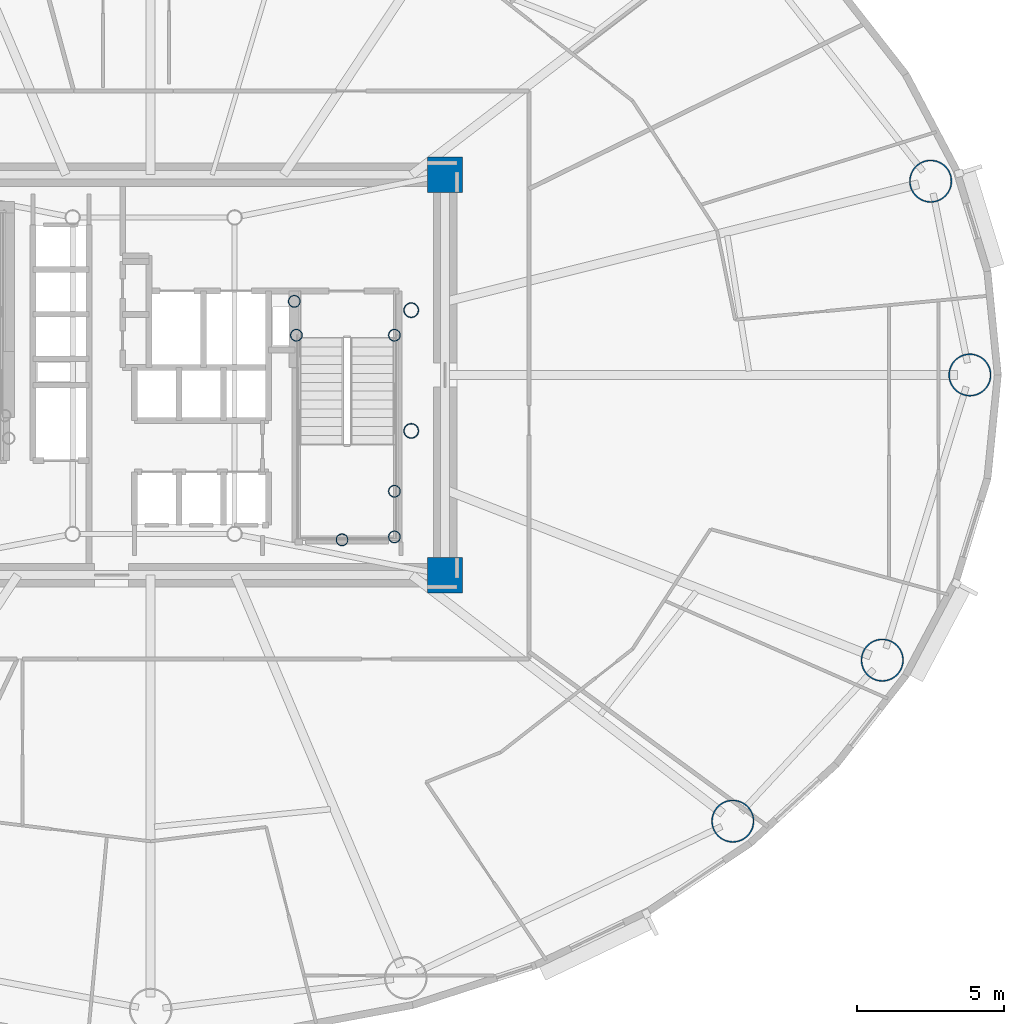
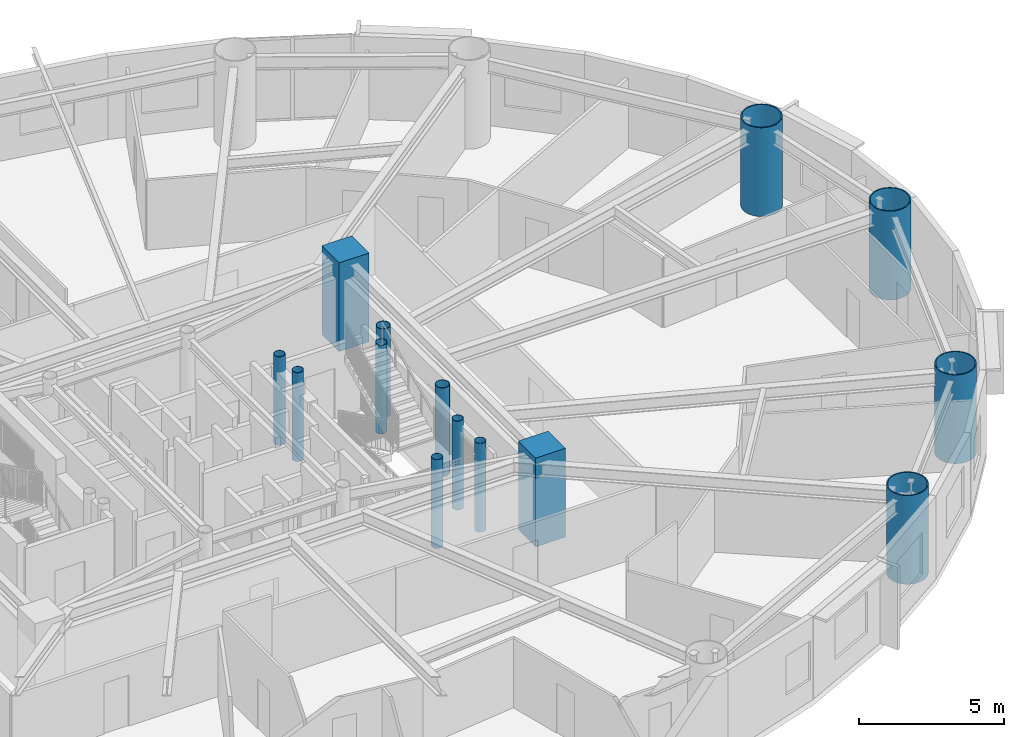
# One storey, part 2 of 16: 14 columns.
"""IFC4 building model written with IfcOpenShell, lengths in metres."""

from ifc_helpers import new_model, si_unit, direction, frame, origin, origin_2d, place, context, subcontext, project, spatial, rectangle, hollow_circle, extrude, material, material_profile, profile_set, type_object, element, save


model = new_model("IFC4")

# Units and contexts
model_context = context("Model", 3, precision=1e-05, world=origin(), true_north=direction((0.0, 1.0)))
body_context = subcontext(model_context, "Body", "Model", "MODEL_VIEW")
ifc_project = project(units=[si_unit("LENGTHUNIT", "METRE"), si_unit("AREAUNIT", "SQUARE_METRE"), si_unit("VOLUMEUNIT", "CUBIC_METRE"), si_unit("PLANEANGLEUNIT", "RADIAN"), si_unit("MASSUNIT", "GRAM", prefix="KILO")], contexts=[model_context])

# Site, building, storey
site_placement = place(None, origin())
site = spatial("IfcSite", under=ifc_project, at=site_placement, CompositionType="ELEMENT")
building_placement = place(site_placement, origin())
building = spatial("IfcBuilding", under=site, at=building_placement, Name="Linh Dai School and Residence Tower", CompositionType="ELEMENT")
storey_placement = place(building_placement, frame((0.0, 0.0, 138.449951171875)))
storey = spatial("IfcBuildingStorey", under=building, at=storey_placement, Name="L33", CompositionType="ELEMENT", Elevation=138.449951171875)

# Columns
ifc_material_1 = material(Name="Concrete B60 (C50/60)", Category="concrete")
ifc_material_profile_1 = material_profile(ifc_material_1, rectangle(XDim=1.199951171875, YDim=1.199951171875, at=origin_2d()), Name="RC 1200x1200")
ifc_profile_set_1 = profile_set([ifc_material_profile_1], Name="Concrete B60 (C50/60)")
column_type_1 = type_object("IfcColumnType", Name="COL-CC2", PredefinedType="COLUMN", material=ifc_profile_set_1)
for number, where, z_axis, x_axis, name in (
    (1, (46.0, 20.199951171875, 0.0), (0.0, 0.0, 1.0), (1.0, 0.0, 0.0), "L33 Core Corner Pier CC2"),
    (2, (46.0, 33.800048828125, 0.0), (0.0, 0.0, 1.0), (1.0, 0.0, 0.0), "L33 Core Corner Pier CC3"),
):
    element("IfcColumn", number, at=place(storey_placement, frame(where, z_axis=z_axis, x_axis=x_axis)), inside=storey, type_object=column_type_1, Name=name, PredefinedType="COLUMN", context=body_context, shape_type="SweptSolid", body=[
        extrude(rectangle(XDim=1.199951171875, YDim=1.199951171875, at=origin_2d()), origin(), (0.0, 0.0, 1.0), 3.75),
    ])
ifc_material_2 = material(Name="Structural Steel S355JR", Category="steel")
ifc_material_profile_2 = material_profile(ifc_material_2, hollow_circle(Radius=0.203125, WallThickness=0.01611328125, at=origin_2d()), Name="CHS 406.4x16")
ifc_profile_set_2 = profile_set([ifc_material_profile_2], Name="Structural Steel S355JR")
column_type_2 = type_object("IfcColumnType", Name="COL-EC", PredefinedType="COLUMN", material=ifc_profile_set_2)
for number, where, z_axis, x_axis, name in (
    (3, (44.280029296875, 21.5, 0.0), (0.0, 0.0, 1.0), (1.0, 0.0, 0.0), "L33 Stair Shaft Landing Support Pier ST2SE"),
    (4, (44.280029296875, 23.050048828125, 0.0), (0.0, 0.0, 1.0), (1.0, 0.0, 0.0), "L33 Stair Shaft Landing Support Pier ST2NE"),
    (5, (42.5, 21.39990234375, 0.0), (0.0, 0.0, 1.0), (1.0, 0.0, 0.0), "L33 Stair Shaft Landing Support Pier ST2MS"),
    (6, (40.949951171875, 28.35009765625, 0.0), (0.0, 0.0, 1.0), (1.0, 0.0, 0.0), "L33 Stair Shaft Landing Support Pier ST2N1"),
    (7, (44.280029296875, 28.35009765625, 0.0), (0.0, 0.0, 1.0), (1.0, 0.0, 0.0), "L33 Stair Shaft Landing Support Pier ST2N2"),
    (8, (40.8798828125, 29.5, 0.0), (0.0, 0.0, 1.0), (1.0, 0.0, 0.0), "L33 Stair Shaft Landing Support Pier ST2N3"),
):
    element("IfcColumn", number, at=place(storey_placement, frame(where, z_axis=z_axis, x_axis=x_axis)), inside=storey, type_object=column_type_2, Name=name, PredefinedType="COLUMN", context=body_context, shape_type="SweptSolid", body=[
        extrude(hollow_circle(Radius=0.203125, WallThickness=0.01611328125, at=origin_2d()), origin(), (0.0, 0.0, 1.0), 3.75),
    ])
ifc_material_profile_3 = material_profile(ifc_material_2, hollow_circle(Radius=0.72509765625, WallThickness=0.0419921875, at=origin_2d()), Name="CHS 1450x42")
ifc_profile_set_3 = profile_set([ifc_material_profile_3], Name="Structural Steel S355JR")
column_type_3 = type_object("IfcColumnType", Name="COL-MC3", PredefinedType="COLUMN", material=ifc_profile_set_3)
for number, where, z_axis, x_axis, name in (
    (9, (63.824951171875, 27.0, 0.0), (0.0, 0.0, 1.0), (1.0, 0.0, 0.0), "L33 Perimeter CFT Mega-Column MC01"),
    (10, (62.49267578125, 33.5810546875, 0.0), (0.0, 0.0, 1.0), (1.0, 0.0, 0.0), "L33 Perimeter CFT Mega-Column MC02"),
    (11, (55.772705078125, 11.844482421875, 0.0), (0.0, 0.0, 1.0), (1.0, 0.0, 0.0), "L33 Perimeter CFT Mega-Column MC15"),
    (12, (60.84912109375, 17.3125, 0.0), (0.0, 0.0, 1.0), (1.0, 0.0, 0.0), "L33 Perimeter CFT Mega-Column MC16"),
):
    element("IfcColumn", number, at=place(storey_placement, frame(where, z_axis=z_axis, x_axis=x_axis)), inside=storey, type_object=column_type_3, Name=name, PredefinedType="COLUMN", context=body_context, shape_type="SweptSolid", body=[
        extrude(hollow_circle(Radius=0.72509765625, WallThickness=0.0419921875, at=origin_2d()), origin(), (0.0, 0.0, 1.0), 3.75),
    ])
ifc_material_profile_4 = material_profile(ifc_material_2, hollow_circle(Radius=0.25390625, WallThickness=0.02001953125, at=origin_2d()), Name="CHS 508x20")
ifc_profile_set_4 = profile_set([ifc_material_profile_4], Name="Structural Steel S355JR")
column_type_4 = type_object("IfcColumnType", Name="COL-MCP", PredefinedType="COLUMN", material=ifc_profile_set_4)
for number, where, z_axis, x_axis, name in (
    (13, (44.85009765625, 25.10009765625, 0.0), (0.0, 0.0, 1.0), (1.0, 0.0, 0.0), "L33 Sky-Lounge Core Anchor Pier S"),
    (14, (44.85009765625, 29.199951171875, 0.0), (0.0, 0.0, 1.0), (1.0, 0.0, 0.0), "L33 Sky-Lounge Core Anchor Pier N"),
):
    element("IfcColumn", number, at=place(storey_placement, frame(where, z_axis=z_axis, x_axis=x_axis)), inside=storey, type_object=column_type_4, Name=name, PredefinedType="COLUMN", context=body_context, shape_type="SweptSolid", body=[
        extrude(hollow_circle(Radius=0.25390625, WallThickness=0.02001953125, at=origin_2d()), origin(), (0.0, 0.0, 1.0), 3.75),
    ])

save(model, "model.ifc")
